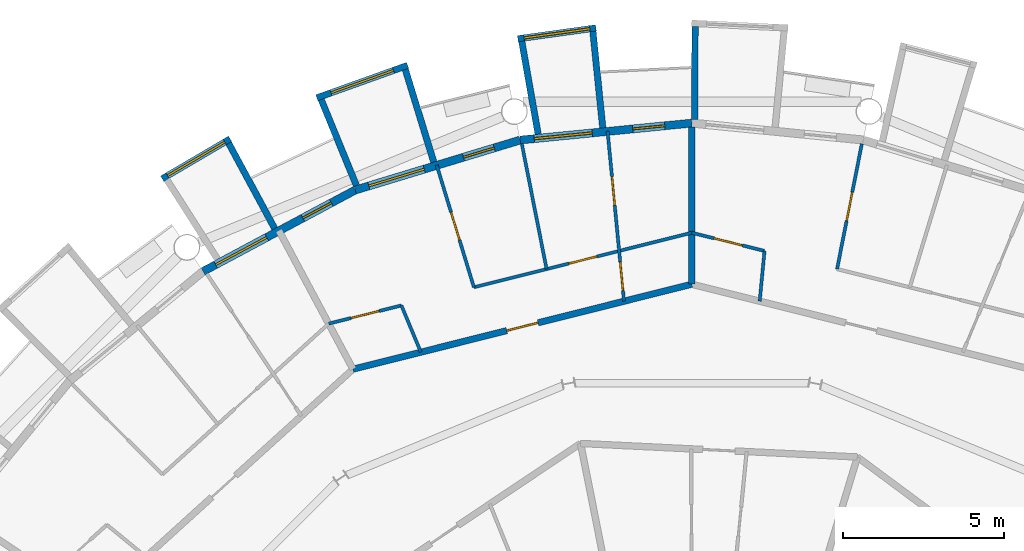
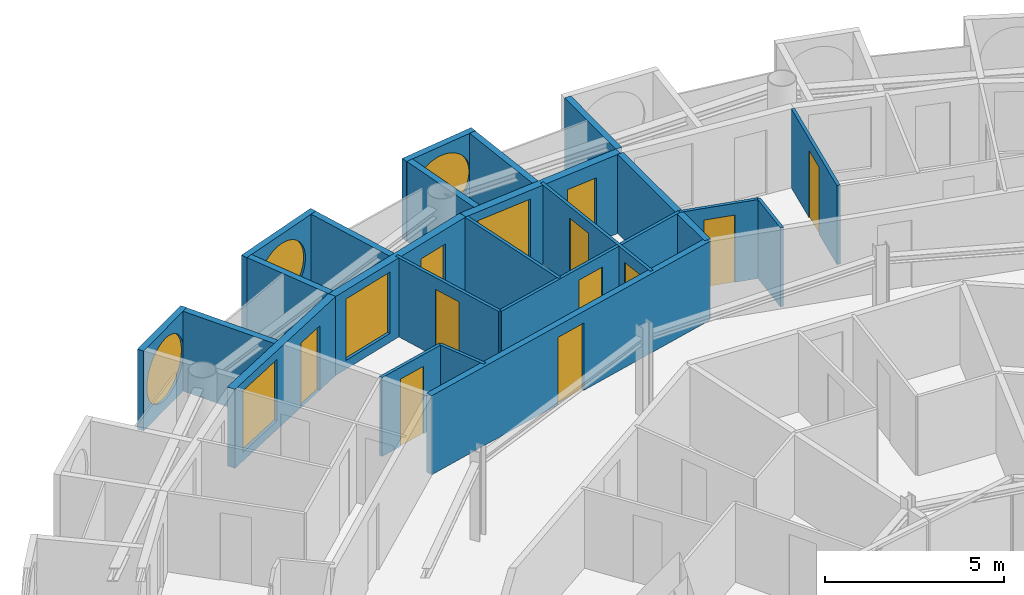
# One storey, part 22 of 29: 23 walls, 11 doors, 6 windows, 17 openings.
"""IFC4 building model written with IfcOpenShell, lengths in metres."""

from ifc_helpers import new_model, si_unit, direction, frame, frame_2d, origin, place, context, subcontext, project, spatial, rectangle, circle, extrude, material, layer, layer_set, type_object, element, fill, save


model = new_model("IFC4")

# Units and contexts
model_context = context("Model", 3, precision=1e-05, world=origin(), true_north=direction((0.0, 1.0)))
body_context = subcontext(model_context, "Body", "Model", "MODEL_VIEW")
ifc_project = project(units=[si_unit("LENGTHUNIT", "METRE"), si_unit("AREAUNIT", "SQUARE_METRE"), si_unit("VOLUMEUNIT", "CUBIC_METRE"), si_unit("PLANEANGLEUNIT", "RADIAN"), si_unit("MASSUNIT", "GRAM", prefix="KILO")], contexts=[model_context])

# Site, building, storey
site_placement = place(None, origin())
site = spatial("IfcSite", under=ifc_project, at=site_placement, CompositionType="ELEMENT")
building_placement = place(site_placement, origin())
building = spatial("IfcBuilding", under=site, at=building_placement, Name="Maasbend Ring Residences", CompositionType="ELEMENT")
storey_placement = place(building_placement, frame((0.0, 0.0, 190.199951171875)))
storey = spatial("IfcBuildingStorey", under=building, at=storey_placement, Name="L54", CompositionType="ELEMENT", Elevation=190.199951171875)

# Wall, opening, door
ifc_material_1 = material(Name="Concrete C30/37", Category="concrete")
ifc_layer_1 = layer(ifc_material_1, 0.199951171875)
ifc_layer_set_1 = layer_set([ifc_layer_1], Name="Concrete C30/37")
wall_type_1 = type_object("IfcWallType", Name="CORRIDOR WALL 200 CONCRETE", PredefinedType="PARTITIONING", material=ifc_layer_set_1)
wall_1_placement = place(storey_placement, frame((-10.52099609375, 19.662109375, 0.0), z_axis=(0.0, 0.0, 1.0), x_axis=(0.969975443945, 0.243202874456, 0.0)))
wall_1 = element("IfcWall", 1, at=wall_1_placement, inside=storey, type_object=wall_type_1, Name="U-L54-w105", PredefinedType="PARTITIONING", context=body_context, shape_type="SweptSolid", body=[
    extrude(rectangle(XDim=10.8466796875, YDim=0.199951171875, at=frame_2d((5.42333984375, 0.0))), origin(), (0.0, 0.0, 1.0), 2.699951171875),
])
opening_1_placement = place(wall_1_placement, frame((4.927978515625, 0.0, 0.0)))
opening_1 = element("IfcOpeningElement", 2, at=opening_1_placement, cuts=wall_1, Name="Opening D-5413", PredefinedType="OPENING", context=body_context, shape_type="SweptSolid", body=[
    extrude(rectangle(XDim=1.0, YDim=2.300048828125, at=frame_2d((0.5, 1.14990234375))), frame((0.0, 0.10986328125, 0.0), z_axis=(0.0, -1.0, 0.0), x_axis=(1.0, 0.0, 0.0)), (0.0, 0.0, 1.0), 0.219970703125),
])
ifc_material_2 = material(Name="Timber, fire-rated, painted", Category="wood")
door_type_1 = type_object("IfcDoorType", Name="FLAT ENTRANCE DOOR 1000 X 2300 FIRE-RATED", OperationType="NOTDEFINED", PredefinedType="DOOR", material=ifc_material_2)
door_1_placement = place(opening_1_placement, origin())
door_1 = element("IfcDoor", 3, at=door_1_placement, inside=storey, type_object=door_type_1, Name="D-5413", OperationType="SINGLE_SWING_RIGHT", OverallHeight=2.300048828125, OverallWidth=1.0, PredefinedType="DOOR", context=body_context, shape_type="SweptSolid", body=[
    extrude(rectangle(XDim=1.0, YDim=2.300048828125, at=frame_2d((0.5, 1.14990234375))), frame((0.0, 0.02490234375, 0.0), z_axis=(0.0, -1.0, 0.0), x_axis=(1.0, 0.0, 0.0)), (0.0, 0.0, 1.0), 0.050048828125),
])
fill(opening_1, door_1)

# Wall
ifc_material_3 = material(Name="Pale anodised aluminium panel", Category="aluminium")
ifc_layer_2 = layer(ifc_material_3, 0.199951171875)
ifc_layer_set_2 = layer_set([ifc_layer_2], Name="EW-BOX")
wall_type_2 = type_object("IfcWallType", Name="EW-BOX", PredefinedType="SOLIDWALL", material=ifc_layer_set_2)
wall_2_placement = place(storey_placement, frame((0.090087890625, 27.4169921875, -0.030029296875), z_axis=(0.0, 0.0, 1.0), x_axis=(0.00347308367, 0.999993968827, 0.0)))
element("IfcWall", 4, at=wall_2_placement, inside=storey, type_object=wall_type_2, Name="Box side wall N10 right", PredefinedType="SOLIDWALL", context=body_context, shape_type="SweptSolid", body=[
    extrude(rectangle(XDim=2.882080078125, YDim=0.199951171875, at=frame_2d((1.44091796875, 0.0))), origin(), (0.0, 0.0, 1.0), 2.72998046875),
])

# Wall, opening, window
wall_3_placement = place(storey_placement, frame((-2.97607421875, 30.25390625, -0.030029296875), z_axis=(0.0, 0.0, 1.0), x_axis=(-0.990462016113, -0.137786046596, 0.0)))
wall_3 = element("IfcWall", 5, at=wall_3_placement, inside=storey, type_object=wall_type_2, Name="Box front N12", PredefinedType="SOLIDWALL", context=body_context, shape_type="SweptSolid", body=[
    extrude(rectangle(XDim=2.4453125, YDim=0.199951171875, at=frame_2d((1.22265625, 0.0))), origin(), (0.0, 0.0, 1.0), 2.72998046875),
])
opening_2_placement = place(wall_3_placement, frame((0.182861328125, 0.0, 0.330078125)))
opening_2 = element("IfcOpeningElement", 6, at=opening_2_placement, cuts=wall_3, Name="Opening W-RD", PredefinedType="OPENING", context=body_context, shape_type="SweptSolid", body=[
    extrude(circle(Radius=1.0400390625, at=frame_2d((1.0400390625, 1.0400390625))), frame((0.0, 0.10986328125, 0.0), z_axis=(0.0, -1.0, 0.0), x_axis=(1.0, 0.0, 0.0)), (0.0, 0.0, 1.0), 0.219970703125),
])
ifc_material_4 = material(Name="Aluminium and clear glass", Category="aluminium")
window_type_1 = type_object("IfcWindowType", Name="W-RD", PartitioningType="SINGLE_PANEL", PredefinedType="WINDOW", material=ifc_material_4)
window_1_placement = place(opening_2_placement, origin())
window_1 = element("IfcWindow", 7, at=window_1_placement, inside=storey, type_object=window_type_1, Name="Round window N12", OverallHeight=2.080078125, OverallWidth=2.080078125, PartitioningType="SINGLE_PANEL", PredefinedType="WINDOW", context=body_context, shape_type="SweptSolid", body=[
    extrude(circle(Radius=1.0400390625, at=frame_2d((1.0400390625, 1.0400390625))), frame((0.0, 0.030029296875, 0.0), z_axis=(0.0, -1.0, 0.0), x_axis=(1.0, 0.0, 0.0)), (0.0, 0.0, 1.0), 0.06005859375),
])
fill(opening_2, window_1)

# Walls
wall_4_placement = place(storey_placement, frame((-2.763916015625, 27.153076171875, -0.030029296875), z_axis=(0.0, 0.0, 1.0), x_axis=(-0.101505487237, 0.994834979311, 0.0)))
element("IfcWall", 8, at=wall_4_placement, inside=storey, type_object=wall_type_2, Name="Box side wall N12 left", PredefinedType="SOLIDWALL", context=body_context, shape_type="SweptSolid", body=[
    extrude(rectangle(XDim=3.006591796875, YDim=0.199951171875, at=frame_2d((1.50341796875, 0.0))), origin(), (0.0, 0.0, 1.0), 2.72998046875),
])
wall_5_placement = place(storey_placement, frame((-4.76904296875, 26.9560546875, -0.030029296875), z_axis=(0.0, 0.0, 1.0), x_axis=(-0.174056778901, 0.984735618183, 0.0)))
element("IfcWall", 9, at=wall_5_placement, inside=storey, type_object=wall_type_2, Name="Box side wall N12 right", PredefinedType="SOLIDWALL", context=body_context, shape_type="SweptSolid", body=[
    extrude(rectangle(XDim=2.924560546875, YDim=0.199951171875, at=frame_2d((1.46240234375, 0.0))), origin(), (0.0, 0.0, 1.0), 2.72998046875),
])

# Wall, opening, window
wall_6_placement = place(storey_placement, frame((-8.820068359375, 29.093017578125, -0.030029296875), z_axis=(0.0, 0.0, 1.0), x_axis=(-0.941461077774, -0.337121697664, 0.0)))
wall_6 = element("IfcWall", 10, at=wall_6_placement, inside=storey, type_object=wall_type_2, Name="Box front N14", PredefinedType="SOLIDWALL", context=body_context, shape_type="SweptSolid", body=[
    extrude(rectangle(XDim=2.9931640625, YDim=0.199951171875, at=frame_2d((1.49658203125, 0.0))), origin(), (0.0, 0.0, 1.0), 2.72998046875),
])
opening_3_placement = place(wall_6_placement, frame((0.45654296875, 0.0, 0.330078125)))
opening_3 = element("IfcOpeningElement", 11, at=opening_3_placement, cuts=wall_6, Name="Opening W-RD", PredefinedType="OPENING", context=body_context, shape_type="SweptSolid", body=[
    extrude(circle(Radius=1.0400390625, at=frame_2d((1.0400390625, 1.0400390625))), frame((0.0, 0.10986328125, 0.0), z_axis=(0.0, -1.0, 0.0), x_axis=(1.0, 0.0, 0.0)), (0.0, 0.0, 1.0), 0.219970703125),
])
window_2_placement = place(opening_3_placement, origin())
window_2 = element("IfcWindow", 12, at=window_2_placement, inside=storey, type_object=window_type_1, Name="Round window N14", OverallHeight=2.080078125, OverallWidth=2.080078125, PartitioningType="SINGLE_PANEL", PredefinedType="WINDOW", context=body_context, shape_type="SweptSolid", body=[
    extrude(circle(Radius=1.0400390625, at=frame_2d((1.0400390625, 1.0400390625))), frame((0.0, 0.030029296875, 0.0), z_axis=(0.0, -1.0, 0.0), x_axis=(1.0, 0.0, 0.0)), (0.0, 0.0, 1.0), 0.06005859375),
])
fill(opening_3, window_2)

# Walls
wall_7_placement = place(storey_placement, frame((-8.009033203125, 26.092041015625, -0.030029296875), z_axis=(0.0, 0.0, 1.0), x_axis=(-0.293406695073, 0.955987715029, 0.0)))
element("IfcWall", 13, at=wall_7_placement, inside=storey, type_object=wall_type_2, Name="Box side wall N14 left", PredefinedType="SOLIDWALL", context=body_context, shape_type="SweptSolid", body=[
    extrude(rectangle(XDim=3.00634765625, YDim=0.199951171875, at=frame_2d((1.503173828125, 0.0))), origin(), (0.0, 0.0, 1.0), 2.72998046875),
])
wall_8_placement = place(storey_placement, frame((-10.408935546875, 25.364013671875, -0.030029296875), z_axis=(0.0, 0.0, 1.0), x_axis=(-0.379509886562, 0.925187681501, 0.0)))
element("IfcWall", 14, at=wall_8_placement, inside=storey, type_object=wall_type_2, Name="Box side wall N14 right", PredefinedType="SOLIDWALL", context=body_context, shape_type="SweptSolid", body=[
    extrude(rectangle(XDim=2.882568359375, YDim=0.199951171875, at=frame_2d((1.44140625, 0.0))), origin(), (0.0, 0.0, 1.0), 2.72998046875),
])

# Wall, opening, window
wall_9_placement = place(storey_placement, frame((-14.326904296875, 26.81201171875, -0.030029296875), z_axis=(0.0, 0.0, 1.0), x_axis=(-0.862403467503, -0.506221551535, 0.0)))
wall_9 = element("IfcWall", 15, at=wall_9_placement, inside=storey, type_object=wall_type_2, Name="Box front N16", PredefinedType="SOLIDWALL", context=body_context, shape_type="SweptSolid", body=[
    extrude(rectangle(XDim=2.445556640625, YDim=0.199951171875, at=frame_2d((1.22265625, 0.0))), origin(), (0.0, 0.0, 1.0), 2.72998046875),
])
opening_4_placement = place(wall_9_placement, frame((0.182861328125, 0.0, 0.330078125)))
opening_4 = element("IfcOpeningElement", 16, at=opening_4_placement, cuts=wall_9, Name="Opening W-RD", PredefinedType="OPENING", context=body_context, shape_type="SweptSolid", body=[
    extrude(circle(Radius=1.0400390625, at=frame_2d((1.0400390625, 1.0400390625))), frame((0.0, 0.10986328125, 0.0), z_axis=(0.0, -1.0, 0.0), x_axis=(1.0, 0.0, 0.0)), (0.0, 0.0, 1.0), 0.219970703125),
])
window_3_placement = place(opening_4_placement, origin())
window_3 = element("IfcWindow", 17, at=window_3_placement, inside=storey, type_object=window_type_1, Name="Round window N16", OverallHeight=2.080078125, OverallWidth=2.080078125, PartitioningType="SINGLE_PANEL", PredefinedType="WINDOW", context=body_context, shape_type="SweptSolid", body=[
    extrude(circle(Radius=1.0400390625, at=frame_2d((1.0400390625, 1.0400390625))), frame((0.0, 0.030029296875, 0.0), z_axis=(0.0, -1.0, 0.0), x_axis=(1.0, 0.0, 0.0)), (0.0, 0.0, 1.0), 0.06005859375),
])
fill(opening_4, window_3)

# Wall
wall_10_placement = place(storey_placement, frame((-12.945068359375, 24.029052734375, -0.030029296875), z_axis=(0.0, 0.0, 1.0), x_axis=(-0.474424310775, 0.88029629861, 0.0)))
element("IfcWall", 18, at=wall_10_placement, inside=storey, type_object=wall_type_2, Name="Box side wall N16 left", PredefinedType="SOLIDWALL", context=body_context, shape_type="SweptSolid", body=[
    extrude(rectangle(XDim=3.005859375, YDim=0.199951171875, at=frame_2d((1.5029296875, 0.0))), origin(), (0.0, 0.0, 1.0), 2.72998046875),
])

# Wall, openings, door, window
ifc_material_5 = material(Name="Aluminium clad insulated panel", Category="aluminium")
ifc_layer_3 = layer(ifc_material_5, 0.25)
ifc_layer_set_3 = layer_set([ifc_layer_3], Name="EW-GL")
wall_type_3 = type_object("IfcWallType", Name="EW-GL", PredefinedType="SOLIDWALL", material=ifc_layer_set_3)
wall_11_placement = place(storey_placement, frame((0.0, 27.300048828125, 0.0), z_axis=(0.0, 0.0, 1.0), x_axis=(-0.995173996315, -0.098126026407, 0.0)))
wall_11 = element("IfcWall", 19, at=wall_11_placement, inside=storey, type_object=wall_type_3, Name="External wall N06", PredefinedType="SOLIDWALL", context=body_context, shape_type="SweptSolid", body=[
    extrude(rectangle(XDim=5.351806640625, YDim=0.25, at=frame_2d((2.67578125, 0.0))), origin(), (0.0, 0.0, 1.0), 2.699951171875),
])
opening_5_placement = place(wall_11_placement, frame((0.841064453125, 0.0, 0.0)))
opening_5 = element("IfcOpeningElement", 20, at=opening_5_placement, cuts=wall_11, Name="Opening D-LG", PredefinedType="OPENING", context=body_context, shape_type="SweptSolid", body=[
    extrude(rectangle(XDim=1.0, YDim=2.199951171875, at=frame_2d((0.5, 1.10009765625))), frame((0.0, 0.135009765625, 0.0), z_axis=(0.0, -1.0, 0.0), x_axis=(1.0, 0.0, 0.0)), (0.0, 0.0, 1.0), 0.27001953125),
])
opening_6_placement = place(wall_11_placement, frame((3.110595703125, 0.0, 0.300048828125)))
opening_6 = element("IfcOpeningElement", 21, at=opening_6_placement, cuts=wall_11, Name="Opening W-BX", PredefinedType="OPENING", context=body_context, shape_type="SweptSolid", body=[
    extrude(rectangle(XDim=1.800048828125, YDim=2.10009765625, at=frame_2d((0.89990234375, 1.050048828125))), frame((0.0, 0.135009765625, 0.0), z_axis=(0.0, -1.0, 0.0), x_axis=(1.0, 0.0, 0.0)), (0.0, 0.0, 1.0), 0.27001953125),
])
ifc_material_6 = material(Name="Aluminium and clear glass", Category="aluminium")
door_type_2 = type_object("IfcDoorType", Name="D-LG", OperationType="SINGLE_SWING_LEFT", PredefinedType="DOOR", material=ifc_material_6)
door_2_placement = place(opening_5_placement, origin())
door_2 = element("IfcDoor", 22, at=door_2_placement, inside=storey, type_object=door_type_2, Name="Loggia door N11", OperationType="SINGLE_SWING_LEFT", OverallHeight=2.199951171875, OverallWidth=1.0, PredefinedType="DOOR", context=body_context, shape_type="SweptSolid", body=[
    extrude(rectangle(XDim=1.0, YDim=2.199951171875, at=frame_2d((0.5, 1.10009765625))), frame((0.0, 0.02490234375, 0.0), z_axis=(0.0, -1.0, 0.0), x_axis=(1.0, 0.0, 0.0)), (0.0, 0.0, 1.0), 0.050048828125),
])
fill(opening_5, door_2)
ifc_material_7 = material(Name="Aluminium and clear glass", Category="aluminium")
window_type_2 = type_object("IfcWindowType", Name="W-BX", PartitioningType="DOUBLE_PANEL_VERTICAL", PredefinedType="WINDOW", material=ifc_material_7)
window_4_placement = place(opening_6_placement, origin())
window_4 = element("IfcWindow", 23, at=window_4_placement, inside=storey, type_object=window_type_2, Name="Window N12 room to box", OverallHeight=2.10009765625, OverallWidth=1.800048828125, PartitioningType="SINGLE_PANEL", PredefinedType="WINDOW", context=body_context, shape_type="SweptSolid", body=[
    extrude(rectangle(XDim=1.800048828125, YDim=2.10009765625, at=frame_2d((0.89990234375, 1.050048828125))), frame((0.0, 0.030029296875, 0.0), z_axis=(0.0, -1.0, 0.0), x_axis=(1.0, 0.0, 0.0)), (0.0, 0.0, 1.0), 0.06005859375),
])
fill(opening_6, window_4)

wall_12_placement = place(storey_placement, frame((-5.325927734375, 26.77490234375, 0.0), z_axis=(0.0, 0.0, 1.0), x_axis=(-0.956965678721, -0.290201119486, 0.0)))
wall_12 = element("IfcWall", 24, at=wall_12_placement, inside=storey, type_object=wall_type_3, Name="External wall N07", PredefinedType="SOLIDWALL", context=body_context, shape_type="SweptSolid", body=[
    extrude(rectangle(XDim=5.351318359375, YDim=0.25, at=frame_2d((2.67578125, 0.0))), origin(), (0.0, 0.0, 1.0), 2.699951171875),
])
opening_7_placement = place(wall_12_placement, frame((0.841064453125, 0.0, 0.0)))
opening_7 = element("IfcOpeningElement", 25, at=opening_7_placement, cuts=wall_12, Name="Opening D-LG", PredefinedType="OPENING", context=body_context, shape_type="SweptSolid", body=[
    extrude(rectangle(XDim=1.0, YDim=2.199951171875, at=frame_2d((0.5, 1.10009765625))), frame((0.0, 0.135009765625, 0.0), z_axis=(0.0, -1.0, 0.0), x_axis=(1.0, 0.0, 0.0)), (0.0, 0.0, 1.0), 0.27001953125),
])
opening_8_placement = place(wall_12_placement, frame((3.110595703125, 0.0, 0.300048828125)))
opening_8 = element("IfcOpeningElement", 26, at=opening_8_placement, cuts=wall_12, Name="Opening W-BX", PredefinedType="OPENING", context=body_context, shape_type="SweptSolid", body=[
    extrude(rectangle(XDim=1.800048828125, YDim=2.10009765625, at=frame_2d((0.89990234375, 1.050048828125))), frame((0.0, 0.135009765625, 0.0), z_axis=(0.0, -1.0, 0.0), x_axis=(1.0, 0.0, 0.0)), (0.0, 0.0, 1.0), 0.27001953125),
])
door_3_placement = place(opening_7_placement, origin())
door_3 = element("IfcDoor", 27, at=door_3_placement, inside=storey, type_object=door_type_2, Name="Loggia door N13", OperationType="SINGLE_SWING_LEFT", OverallHeight=2.199951171875, OverallWidth=1.0, PredefinedType="DOOR", context=body_context, shape_type="SweptSolid", body=[
    extrude(rectangle(XDim=1.0, YDim=2.199951171875, at=frame_2d((0.5, 1.10009765625))), frame((0.0, 0.02490234375, 0.0), z_axis=(0.0, -1.0, 0.0), x_axis=(1.0, 0.0, 0.0)), (0.0, 0.0, 1.0), 0.050048828125),
])
fill(opening_7, door_3)
window_5_placement = place(opening_8_placement, origin())
window_5 = element("IfcWindow", 28, at=window_5_placement, inside=storey, type_object=window_type_2, Name="Window N14 room to box", OverallHeight=2.10009765625, OverallWidth=1.800048828125, PartitioningType="SINGLE_PANEL", PredefinedType="WINDOW", context=body_context, shape_type="SweptSolid", body=[
    extrude(rectangle(XDim=1.800048828125, YDim=2.10009765625, at=frame_2d((0.89990234375, 1.050048828125))), frame((0.0, 0.030029296875, 0.0), z_axis=(0.0, -1.0, 0.0), x_axis=(1.0, 0.0, 0.0)), (0.0, 0.0, 1.0), 0.06005859375),
])
fill(opening_8, window_5)

wall_13_placement = place(storey_placement, frame((-10.447021484375, 25.221923828125, 0.0), z_axis=(0.0, 0.0, 1.0), x_axis=(-0.881915646801, -0.471407246368, 0.0)))
wall_13 = element("IfcWall", 29, at=wall_13_placement, inside=storey, type_object=wall_type_3, Name="External wall N08", PredefinedType="SOLIDWALL", context=body_context, shape_type="SweptSolid", body=[
    extrude(rectangle(XDim=5.35205078125, YDim=0.25, at=frame_2d((2.676025390625, 0.0))), origin(), (0.0, 0.0, 1.0), 2.699951171875),
])
opening_9_placement = place(wall_13_placement, frame((0.841064453125, 0.0, 0.0)))
opening_9 = element("IfcOpeningElement", 30, at=opening_9_placement, cuts=wall_13, Name="Opening D-LG", PredefinedType="OPENING", context=body_context, shape_type="SweptSolid", body=[
    extrude(rectangle(XDim=1.0, YDim=2.199951171875, at=frame_2d((0.5, 1.10009765625))), frame((0.0, 0.135009765625, 0.0), z_axis=(0.0, -1.0, 0.0), x_axis=(1.0, 0.0, 0.0)), (0.0, 0.0, 1.0), 0.27001953125),
])
opening_10_placement = place(wall_13_placement, frame((3.110595703125, 0.0, 0.300048828125)))
opening_10 = element("IfcOpeningElement", 31, at=opening_10_placement, cuts=wall_13, Name="Opening W-BX", PredefinedType="OPENING", context=body_context, shape_type="SweptSolid", body=[
    extrude(rectangle(XDim=1.800048828125, YDim=2.10009765625, at=frame_2d((0.89990234375, 1.050048828125))), frame((0.0, 0.135009765625, 0.0), z_axis=(0.0, -1.0, 0.0), x_axis=(1.0, 0.0, 0.0)), (0.0, 0.0, 1.0), 0.27001953125),
])
door_4_placement = place(opening_9_placement, origin())
door_4 = element("IfcDoor", 32, at=door_4_placement, inside=storey, type_object=door_type_2, Name="Loggia door N15", OperationType="SINGLE_SWING_LEFT", OverallHeight=2.199951171875, OverallWidth=1.0, PredefinedType="DOOR", context=body_context, shape_type="SweptSolid", body=[
    extrude(rectangle(XDim=1.0, YDim=2.199951171875, at=frame_2d((0.5, 1.10009765625))), frame((0.0, 0.02490234375, 0.0), z_axis=(0.0, -1.0, 0.0), x_axis=(1.0, 0.0, 0.0)), (0.0, 0.0, 1.0), 0.050048828125),
])
fill(opening_9, door_4)
window_6_placement = place(opening_10_placement, origin())
window_6 = element("IfcWindow", 33, at=window_6_placement, inside=storey, type_object=window_type_2, Name="Window N16 room to box", OverallHeight=2.10009765625, OverallWidth=1.800048828125, PartitioningType="SINGLE_PANEL", PredefinedType="WINDOW", context=body_context, shape_type="SweptSolid", body=[
    extrude(rectangle(XDim=1.800048828125, YDim=2.10009765625, at=frame_2d((0.89990234375, 1.050048828125))), frame((0.0, 0.030029296875, 0.0), z_axis=(0.0, -1.0, 0.0), x_axis=(1.0, 0.0, 0.0)), (0.0, 0.0, 1.0), 0.06005859375),
])
fill(opening_10, window_6)

# Wall
ifc_material_8 = material(Name="Gypsum board on steel studs", Category="steel")
ifc_layer_4 = layer(ifc_material_8, 0.10009765625)
ifc_layer_set_4 = layer_set([ifc_layer_4], Name="PARTITION 100 GYPSUM")
wall_type_4 = type_object("IfcWallType", Name="PARTITION 100 GYPSUM", PredefinedType="PARTITIONING", material=ifc_layer_set_4)
wall_14_placement = place(storey_placement, frame((-9.012939453125, 21.64208984375, 0.0), z_axis=(0.0, 0.0, 1.0), x_axis=(0.384228756538, -0.923237923099, 0.0)))
element("IfcWall", 34, at=wall_14_placement, inside=storey, type_object=wall_type_4, Name="U-L54-w030", PredefinedType="PARTITIONING", context=body_context, shape_type="SweptSolid", body=[
    extrude(rectangle(XDim=1.5693359375, YDim=0.10009765625, at=frame_2d((0.78466796875, 0.0))), origin(), (0.0, 0.0, 1.0), 2.699951171875),
])

# Wall, opening, door
wall_15_placement = place(storey_placement, frame((-7.9169921875, 25.99609375, 0.0), z_axis=(0.0, 0.0, 1.0), x_axis=(0.291291575636, -0.956634317785, 0.0)))
wall_15 = element("IfcWall", 35, at=wall_15_placement, inside=storey, type_object=wall_type_4, Name="U-L54-w047", PredefinedType="PARTITIONING", context=body_context, shape_type="SweptSolid", body=[
    extrude(rectangle(XDim=3.9619140625, YDim=0.10009765625, at=frame_2d((1.98095703125, 0.0))), origin(), (0.0, 0.0, 1.0), 2.699951171875),
])
opening_11_placement = place(wall_15_placement, frame((1.531005859375, 0.0, 0.0)))
opening_11 = element("IfcOpeningElement", 36, at=opening_11_placement, cuts=wall_15, Name="Opening D-5416", PredefinedType="OPENING", context=body_context, shape_type="SweptSolid", body=[
    extrude(rectangle(XDim=0.89990234375, YDim=2.300048828125, at=frame_2d((0.449951171875, 1.14990234375))), frame((0.0, 0.06005859375, 0.0), z_axis=(0.0, -1.0, 0.0), x_axis=(1.0, 0.0, 0.0)), (0.0, 0.0, 1.0), 0.1201171875),
])
ifc_material_9 = material(Name="Timber, painted", Category="wood")
door_type_3 = type_object("IfcDoorType", Name="INTERNAL DOOR 900 X 2300", OperationType="NOTDEFINED", PredefinedType="DOOR", material=ifc_material_9)
door_5_placement = place(opening_11_placement, origin())
door_5 = element("IfcDoor", 37, at=door_5_placement, inside=storey, type_object=door_type_3, Name="D-5416", OperationType="SINGLE_SWING_LEFT", OverallHeight=2.300048828125, OverallWidth=0.89990234375, PredefinedType="DOOR", context=body_context, shape_type="SweptSolid", body=[
    extrude(rectangle(XDim=0.89990234375, YDim=2.300048828125, at=frame_2d((0.449951171875, 1.14990234375))), frame((0.0, 0.02490234375, 0.0), z_axis=(0.0, -1.0, 0.0), x_axis=(1.0, 0.0, 0.0)), (0.0, 0.0, 1.0), 0.050048828125),
])
fill(opening_11, door_5)

# Wall
wall_16_placement = place(storey_placement, frame((-5.27587890625, 26.657958984375, 0.0), z_axis=(0.0, 0.0, 1.0), x_axis=(0.194030211642, -0.980995554001, 0.0)))
element("IfcWall", 38, at=wall_16_placement, inside=storey, type_object=wall_type_4, Name="U-L54-w053", PredefinedType="PARTITIONING", context=body_context, shape_type="SweptSolid", body=[
    extrude(rectangle(XDim=3.962158203125, YDim=0.10009765625, at=frame_2d((1.98095703125, 0.0))), origin(), (0.0, 0.0, 1.0), 2.699951171875),
])

# Wall, openings, doors
wall_17_placement = place(storey_placement, frame((-2.614990234375, 27.049072265625, 0.0), z_axis=(0.0, 0.0, 1.0), x_axis=(0.096215269366, -0.995360548716, 0.0)))
wall_17 = element("IfcWall", 39, at=wall_17_placement, inside=storey, type_object=wall_type_4, Name="U-L54-w057", PredefinedType="PARTITIONING", context=body_context, shape_type="SweptSolid", body=[
    extrude(rectangle(XDim=5.30078125, YDim=0.10009765625, at=frame_2d((2.650390625, 0.0))), origin(), (0.0, 0.0, 1.0), 2.699951171875),
])
opening_12_placement = place(wall_17_placement, frame((4.06591796875, 0.0, 0.0)))
opening_12 = element("IfcOpeningElement", 40, at=opening_12_placement, cuts=wall_17, Name="Opening D-5415", PredefinedType="OPENING", context=body_context, shape_type="SweptSolid", body=[
    extrude(rectangle(XDim=0.89990234375, YDim=2.300048828125, at=frame_2d((0.449951171875, 1.14990234375))), frame((0.0, 0.06005859375, 0.0), z_axis=(0.0, -1.0, 0.0), x_axis=(1.0, 0.0, 0.0)), (0.0, 0.0, 1.0), 0.1201171875),
])
opening_13_placement = place(wall_17_placement, frame((1.4150390625, 0.0, 0.0)))
opening_13 = element("IfcOpeningElement", 41, at=opening_13_placement, cuts=wall_17, Name="Opening D-5418", PredefinedType="OPENING", context=body_context, shape_type="SweptSolid", body=[
    extrude(rectangle(XDim=0.89990234375, YDim=2.300048828125, at=frame_2d((0.449951171875, 1.14990234375))), frame((0.0, 0.06005859375, 0.0), z_axis=(0.0, -1.0, 0.0), x_axis=(1.0, 0.0, 0.0)), (0.0, 0.0, 1.0), 0.1201171875),
])
door_6_placement = place(opening_12_placement, origin())
door_6 = element("IfcDoor", 42, at=door_6_placement, inside=storey, type_object=door_type_3, Name="D-5415", OperationType="SINGLE_SWING_RIGHT", OverallHeight=2.300048828125, OverallWidth=0.89990234375, PredefinedType="DOOR", context=body_context, shape_type="SweptSolid", body=[
    extrude(rectangle(XDim=0.89990234375, YDim=2.300048828125, at=frame_2d((0.449951171875, 1.14990234375))), frame((0.0, 0.02490234375, 0.0), z_axis=(0.0, -1.0, 0.0), x_axis=(1.0, 0.0, 0.0)), (0.0, 0.0, 1.0), 0.050048828125),
])
fill(opening_12, door_6)
door_7_placement = place(opening_13_placement, origin())
door_7 = element("IfcDoor", 43, at=door_7_placement, inside=storey, type_object=door_type_3, Name="D-5418", OperationType="SINGLE_SWING_LEFT", OverallHeight=2.300048828125, OverallWidth=0.89990234375, PredefinedType="DOOR", context=body_context, shape_type="SweptSolid", body=[
    extrude(rectangle(XDim=0.89990234375, YDim=2.300048828125, at=frame_2d((0.449951171875, 1.14990234375))), frame((0.0, 0.02490234375, 0.0), z_axis=(0.0, -1.0, 0.0), x_axis=(1.0, 0.0, 0.0)), (0.0, 0.0, 1.0), 0.050048828125),
])
fill(opening_13, door_7)

# Wall
wall_18_placement = place(storey_placement, frame((2.10498046875, 21.77294921875, 0.0), z_axis=(0.0, 0.0, 1.0), x_axis=(0.096239724492, 0.995358184489, 0.0)))
element("IfcWall", 44, at=wall_18_placement, inside=storey, type_object=wall_type_4, Name="U-L54-w067", PredefinedType="PARTITIONING", context=body_context, shape_type="SweptSolid", body=[
    extrude(rectangle(XDim=1.5703125, YDim=0.10009765625, at=frame_2d((0.78515625, 0.0))), origin(), (0.0, 0.0, 1.0), 2.699951171875),
])

# Wall, opening, door
wall_19_placement = place(storey_placement, frame((4.507080078125, 22.77099609375, 0.0), z_axis=(0.0, 0.0, 1.0), x_axis=(0.194030211642, 0.980995554001, 0.0)))
wall_19 = element("IfcWall", 45, at=wall_19_placement, inside=storey, type_object=wall_type_4, Name="U-L54-w071", PredefinedType="PARTITIONING", context=body_context, shape_type="SweptSolid", body=[
    extrude(rectangle(XDim=3.962158203125, YDim=0.10009765625, at=frame_2d((1.98095703125, 0.0))), origin(), (0.0, 0.0, 1.0), 2.699951171875),
])
opening_14_placement = place(wall_19_placement, frame((1.531005859375, 0.0, 0.0)))
opening_14 = element("IfcOpeningElement", 46, at=opening_14_placement, cuts=wall_19, Name="Opening D-5410", PredefinedType="OPENING", context=body_context, shape_type="SweptSolid", body=[
    extrude(rectangle(XDim=0.89990234375, YDim=2.300048828125, at=frame_2d((0.449951171875, 1.14990234375))), frame((0.0, 0.06005859375, 0.0), z_axis=(0.0, -1.0, 0.0), x_axis=(1.0, 0.0, 0.0)), (0.0, 0.0, 1.0), 0.1201171875),
])
door_8_placement = place(opening_14_placement, origin())
door_8 = element("IfcDoor", 47, at=door_8_placement, inside=storey, type_object=door_type_3, Name="D-5410", OperationType="SINGLE_SWING_RIGHT", OverallHeight=2.300048828125, OverallWidth=0.89990234375, PredefinedType="DOOR", context=body_context, shape_type="SweptSolid", body=[
    extrude(rectangle(XDim=0.89990234375, YDim=2.300048828125, at=frame_2d((0.449951171875, 1.14990234375))), frame((0.0, 0.02490234375, 0.0), z_axis=(0.0, -1.0, 0.0), x_axis=(1.0, 0.0, 0.0)), (0.0, 0.0, 1.0), 0.050048828125),
])
fill(opening_14, door_8)

wall_20_placement = place(storey_placement, frame((-11.26611328125, 21.077880859375, 0.0), z_axis=(0.0, 0.0, 1.0), x_axis=(0.970074478144, 0.242807551066, 0.0)))
wall_20 = element("IfcWall", 48, at=wall_20_placement, inside=storey, type_object=wall_type_4, Name="U-L54-w114", PredefinedType="PARTITIONING", context=body_context, shape_type="SweptSolid", body=[
    extrude(rectangle(XDim=2.32373046875, YDim=0.10009765625, at=frame_2d((1.161865234375, 0.0))), origin(), (0.0, 0.0, 1.0), 2.699951171875),
])
opening_15_placement = place(wall_20_placement, frame((0.7119140625, 0.0, 0.0)))
opening_15 = element("IfcOpeningElement", 49, at=opening_15_placement, cuts=wall_20, Name="Opening D-5414", PredefinedType="OPENING", context=body_context, shape_type="SweptSolid", body=[
    extrude(rectangle(XDim=0.89990234375, YDim=2.300048828125, at=frame_2d((0.449951171875, 1.14990234375))), frame((0.0, 0.06005859375, 0.0), z_axis=(0.0, -1.0, 0.0), x_axis=(1.0, 0.0, 0.0)), (0.0, 0.0, 1.0), 0.1201171875),
])
door_9_placement = place(opening_15_placement, origin())
door_9 = element("IfcDoor", 50, at=door_9_placement, inside=storey, type_object=door_type_3, Name="D-5414", OperationType="SINGLE_SWING_LEFT", OverallHeight=2.300048828125, OverallWidth=0.89990234375, PredefinedType="DOOR", context=body_context, shape_type="SweptSolid", body=[
    extrude(rectangle(XDim=0.89990234375, YDim=2.300048828125, at=frame_2d((0.449951171875, 1.14990234375))), frame((0.0, 0.02490234375, 0.0), z_axis=(0.0, -1.0, 0.0), x_axis=(1.0, 0.0, 0.0)), (0.0, 0.0, 1.0), 0.050048828125),
])
fill(opening_15, door_9)

wall_21_placement = place(storey_placement, frame((-6.760009765625, 22.2060546875, 0.0), z_axis=(0.0, 0.0, 1.0), x_axis=(0.9700785795, 0.242791164576, 0.0)))
wall_21 = element("IfcWall", 51, at=wall_21_placement, inside=storey, type_object=wall_type_4, Name="U-L54-w115", PredefinedType="PARTITIONING", context=body_context, shape_type="SweptSolid", body=[
    extrude(rectangle(XDim=6.968505859375, YDim=0.10009765625, at=frame_2d((3.484375, 0.0))), origin(), (0.0, 0.0, 1.0), 2.699951171875),
])
opening_16_placement = place(wall_21_placement, frame((3.035888671875, 0.0, 0.0)))
opening_16 = element("IfcOpeningElement", 52, at=opening_16_placement, cuts=wall_21, Name="Opening D-5417", PredefinedType="OPENING", context=body_context, shape_type="SweptSolid", body=[
    extrude(rectangle(XDim=0.89990234375, YDim=2.300048828125, at=frame_2d((0.449951171875, 1.14990234375))), frame((0.0, 0.06005859375, 0.0), z_axis=(0.0, -1.0, 0.0), x_axis=(1.0, 0.0, 0.0)), (0.0, 0.0, 1.0), 0.1201171875),
])
door_10_placement = place(opening_16_placement, origin())
door_10 = element("IfcDoor", 53, at=door_10_placement, inside=storey, type_object=door_type_3, Name="D-5417", OperationType="SINGLE_SWING_RIGHT", OverallHeight=2.300048828125, OverallWidth=0.89990234375, PredefinedType="DOOR", context=body_context, shape_type="SweptSolid", body=[
    extrude(rectangle(XDim=0.89990234375, YDim=2.300048828125, at=frame_2d((0.449951171875, 1.14990234375))), frame((0.0, 0.02490234375, 0.0), z_axis=(0.0, -1.0, 0.0), x_axis=(1.0, 0.0, 0.0)), (0.0, 0.0, 1.0), 0.050048828125),
])
fill(opening_16, door_10)

wall_22_placement = place(storey_placement, frame((0.0, 23.89794921875, 0.0), z_axis=(0.0, 0.0, 1.0), x_axis=(0.970068250789, -0.242832429489, 0.0)))
wall_22 = element("IfcWall", 54, at=wall_22_placement, inside=storey, type_object=wall_type_4, Name="U-L54-w116", PredefinedType="PARTITIONING", context=body_context, shape_type="SweptSolid", body=[
    extrude(rectangle(XDim=2.322509765625, YDim=0.10009765625, at=frame_2d((1.1611328125, 0.0))), origin(), (0.0, 0.0, 1.0), 2.699951171875),
])
opening_17_placement = place(wall_22_placement, frame((0.7109375, 0.0, 0.0)))
opening_17 = element("IfcOpeningElement", 55, at=opening_17_placement, cuts=wall_22, Name="Opening D-5408", PredefinedType="OPENING", context=body_context, shape_type="SweptSolid", body=[
    extrude(rectangle(XDim=0.89990234375, YDim=2.300048828125, at=frame_2d((0.449951171875, 1.14990234375))), frame((0.0, 0.06005859375, 0.0), z_axis=(0.0, -1.0, 0.0), x_axis=(1.0, 0.0, 0.0)), (0.0, 0.0, 1.0), 0.1201171875),
])
door_11_placement = place(opening_17_placement, origin())
door_11 = element("IfcDoor", 56, at=door_11_placement, inside=storey, type_object=door_type_3, Name="D-5408", OperationType="SINGLE_SWING_LEFT", OverallHeight=2.300048828125, OverallWidth=0.89990234375, PredefinedType="DOOR", context=body_context, shape_type="SweptSolid", body=[
    extrude(rectangle(XDim=0.89990234375, YDim=2.300048828125, at=frame_2d((0.449951171875, 1.14990234375))), frame((0.0, 0.02490234375, 0.0), z_axis=(0.0, -1.0, 0.0), x_axis=(1.0, 0.0, 0.0)), (0.0, 0.0, 1.0), 0.050048828125),
])
fill(opening_17, door_11)

# Wall
ifc_material_10 = material(Name="Concrete C30/37", Category="concrete")
ifc_layer_5 = layer(ifc_material_10, 0.199951171875)
ifc_layer_set_5 = layer_set([ifc_layer_5], Name="Concrete C30/37")
wall_type_5 = type_object("IfcWallType", Name="PARTY WALL 200 CONCRETE", PredefinedType="PARTITIONING", material=ifc_layer_set_5)
wall_23_placement = place(storey_placement, frame((0.0, 22.300048828125, 0.0), z_axis=(0.0, 0.0, 1.0), x_axis=(0.0, 1.0, 0.0)))
element("IfcWall", 57, at=wall_23_placement, inside=storey, type_object=wall_type_5, Name="U-L54-w063", PredefinedType="PARTITIONING", context=body_context, shape_type="SweptSolid", body=[
    extrude(rectangle(XDim=4.875, YDim=0.199951171875, at=frame_2d((2.4375, 0.0))), origin(), (0.0, 0.0, 1.0), 2.699951171875),
])

save(model, "model.ifc")
